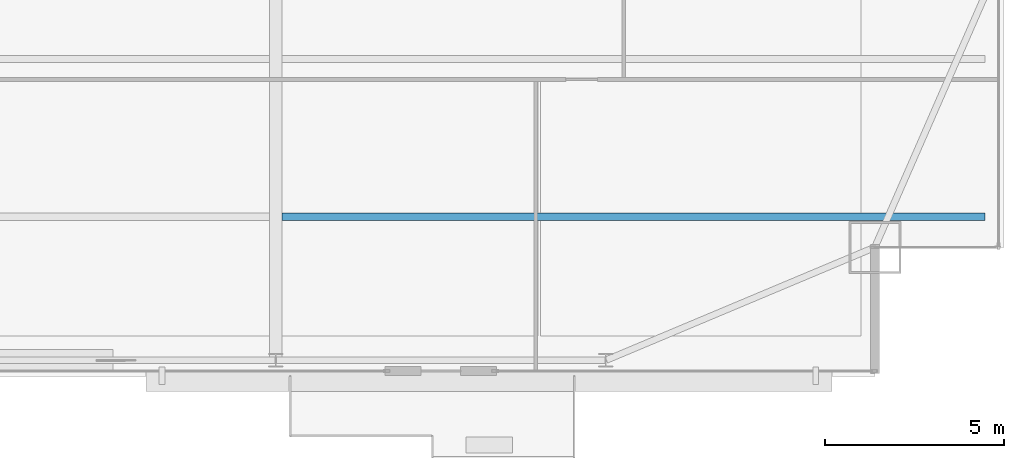
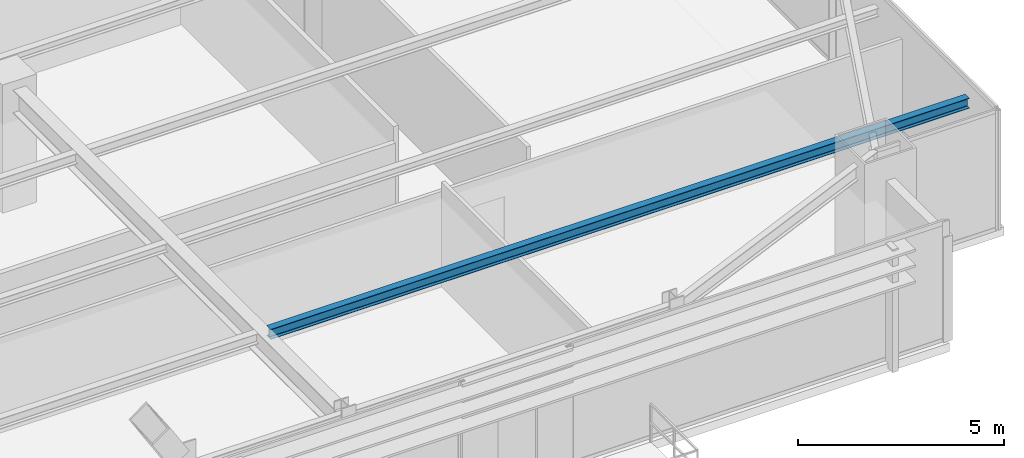
# One storey, part 15 of 37: 1 beam.
"""IFC4 building model written with IfcOpenShell, lengths in metres."""

from ifc_helpers import new_model, si_unit, direction, frame, origin, origin_2d, place, context, subcontext, project, spatial, i_section, extrude, source, transform, mapped, material, material_profile, profile_set, type_object, type_shapes, element, save


model = new_model("IFC4")

# Units and contexts
model_context = context("Model", 3, precision=1e-05, world=origin(), true_north=direction((0.0, 1.0)))
body_context = subcontext(model_context, "Body", "Model", "MODEL_VIEW")
ifc_project = project(units=[si_unit("LENGTHUNIT", "METRE"), si_unit("AREAUNIT", "SQUARE_METRE"), si_unit("VOLUMEUNIT", "CUBIC_METRE"), si_unit("PLANEANGLEUNIT", "RADIAN"), si_unit("MASSUNIT", "GRAM", prefix="KILO")], contexts=[model_context])

# Site, building, storey
site_placement = place(None, origin())
site = spatial("IfcSite", under=ifc_project, at=site_placement, CompositionType="ELEMENT")
building_placement = place(site_placement, origin())
building = spatial("IfcBuilding", under=site, at=building_placement, Name="Varnel Quay Broadcast Tower", CompositionType="ELEMENT")
storey_placement = place(building_placement, frame((0.0, 0.0, 106.800048828125)))
storey = spatial("IfcBuildingStorey", under=building, at=storey_placement, Name="L25", CompositionType="ELEMENT", Elevation=106.800048828125)

# Beam
ifc_material = material(Name="Structural Steel CSA G40.21 350W", Category="steel")
ifc_material_profile = material_profile(ifc_material, i_section(OverallWidth=0.202880859375, OverallDepth=0.302978515625, WebThickness=0.007568359375, FlangeThickness=0.01318359375, FilletRadius=0.011962890625, at=origin_2d()), Name="W310X60")
ifc_profile_set = profile_set([ifc_material_profile], Name="Structural Steel CSA G40.21 350W")
beam_type = type_object("IfcBeamType", Name="Beam_W310X60", PredefinedType="JOIST", material=ifc_profile_set)
shared_shape = source(origin(), body_context, "Body", "SweptSolid", [
    extrude(i_section(OverallWidth=0.202880859375, OverallDepth=0.302978515625, WebThickness=0.007568359375, FlangeThickness=0.01318359375, FilletRadius=0.011962890625, at=origin_2d()), origin(), (0.0, 0.0, 1.0), 19.592041015625),
])
type_shapes(beam_type, [shared_shape])
beam_placement = place(storey_placement, frame((43.37255859375, 8.64990234375, 3.3984375), z_axis=(1.0, 0.0, 0.0), x_axis=(0.0, 1.0, 0.0)))
element("IfcBeam", 1, at=beam_placement, inside=storey, type_object=beam_type, Name="L25 East Floor Joist 1", PredefinedType="JOIST", context=body_context, shape_type="MappedRepresentation", body=[
    mapped(shared_shape, transform((0.0, 0.0, 0.0), x_axis=(1.0, 0.0, 0.0), y_axis=(0.0, 1.0, 0.0), z_axis=(0.0, 0.0, 1.0), scale=1.0)),
])

save(model, "model.ifc")
